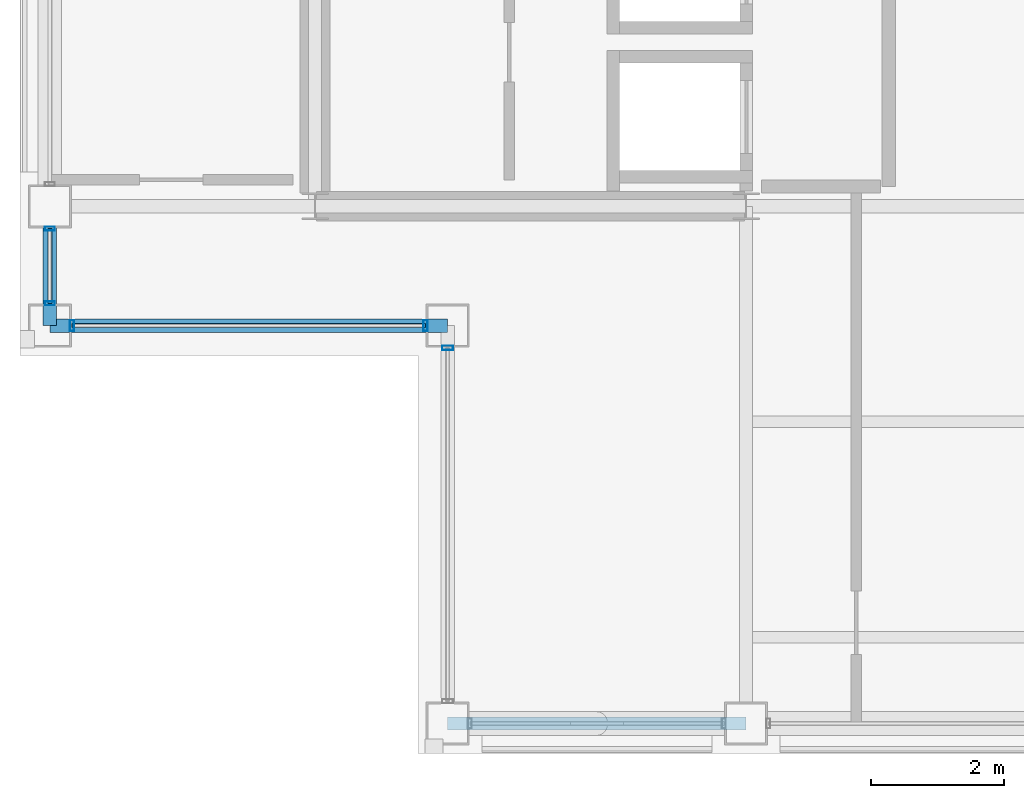
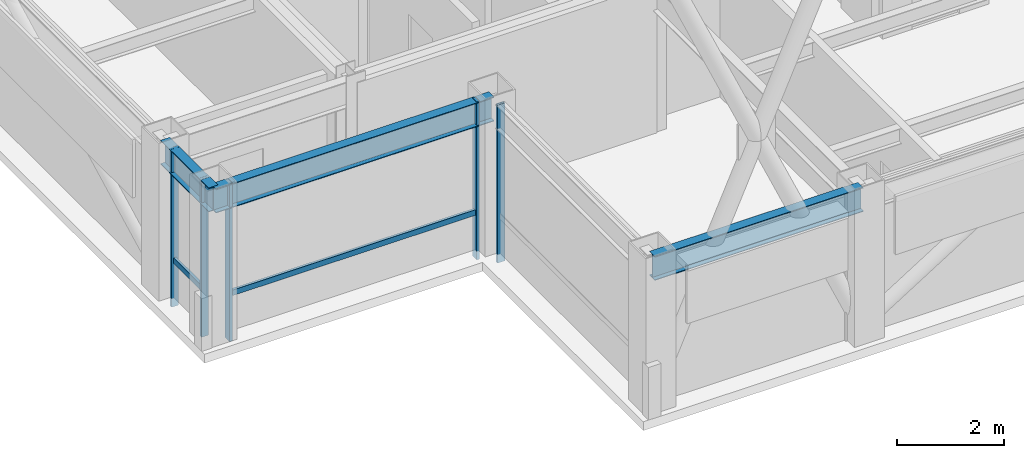
# One storey, part 4 of 30: 7 members, 3 beams, 3 elements without a shape of their own.
"""IFC4 building model written with IfcOpenShell, lengths in metres."""

from ifc_helpers import new_model, si_unit, direction, frame, origin, origin_2d, place, context, subcontext, project, spatial, hollow_rectangle, i_section, extrude, material, layer, layer_set, material_profile, profile_set, type_object, element, aggregate, save


model = new_model("IFC4")

# Units and contexts
model_context = context("Model", 3, precision=1e-05, world=origin(), true_north=direction((0.0, 1.0)))
body_context = subcontext(model_context, "Body", "Model", "MODEL_VIEW")
ifc_project = project(units=[si_unit("LENGTHUNIT", "METRE"), si_unit("AREAUNIT", "SQUARE_METRE"), si_unit("VOLUMEUNIT", "CUBIC_METRE"), si_unit("PLANEANGLEUNIT", "RADIAN"), si_unit("MASSUNIT", "GRAM", prefix="KILO")], contexts=[model_context])

# Site, building, storey
site_placement = place(None, origin())
site = spatial("IfcSite", under=ifc_project, at=site_placement, CompositionType="ELEMENT")
building_placement = place(site_placement, origin())
building = spatial("IfcBuilding", under=site, at=building_placement, Name="Brelmoor Portico Tower", CompositionType="ELEMENT")
storey_placement = place(building_placement, frame((0.0, 0.0, 236.39990234375)))
storey = spatial("IfcBuildingStorey", under=building, at=storey_placement, Name="L62", CompositionType="ELEMENT", Elevation=236.39990234375)

# Beams
ifc_material_1 = material(Name="Steel Q355B", Category="steel")
ifc_material_profile_1 = material_profile(ifc_material_1, i_section(OverallWidth=0.199951171875, OverallDepth=0.550048828125, WebThickness=0.010009765625, FlangeThickness=0.01611328125, at=origin_2d()), Name="HN 550x200x10x16")
ifc_profile_set_1 = profile_set([ifc_material_profile_1], Name="Steel Q355B")
beam_type = type_object("IfcBeamType", Name="BM-SP-550", PredefinedType="SPANDREL", material=ifc_profile_set_1)
beam_1_placement = place(storey_placement, frame((-12.550048828125, -17.550048828125, 3.125), z_axis=(1.0, 0.0, 0.0), x_axis=(0.0, 1.0, 0.0)))
element("IfcBeam", 1, at=beam_1_placement, inside=storey, type_object=beam_type, Name="L62 Perimeter Spandrel Beam SP-01", PredefinedType="SPANDREL", context=body_context, shape_type="SweptSolid", body=[
    extrude(i_section(OverallWidth=0.199951171875, OverallDepth=0.550048828125, WebThickness=0.010009765625, FlangeThickness=0.01611328125, at=origin_2d()), origin(), (0.0, 0.0, 1.0), 4.5),
])
beam_2_placement = place(storey_placement, frame((-18.550048828125, -11.550048828125, 3.125), z_axis=(1.0, 0.0, 0.0), x_axis=(0.0, 1.0, 0.0)))
element("IfcBeam", 2, at=beam_2_placement, inside=storey, type_object=beam_type, Name="L62 Perimeter Spandrel Beam SP-04", PredefinedType="SPANDREL", context=body_context, shape_type="SweptSolid", body=[
    extrude(i_section(OverallWidth=0.199951171875, OverallDepth=0.550048828125, WebThickness=0.010009765625, FlangeThickness=0.01611328125, at=origin_2d()), origin(), (0.0, 0.0, 1.0), 6.0),
])
beam_3_placement = place(storey_placement, frame((-18.550048828125, -11.550048828125, 3.125), z_axis=(0.0, 1.0, 0.0), x_axis=(-1.0, 0.0, 0.0)))
element("IfcBeam", 3, at=beam_3_placement, inside=storey, type_object=beam_type, Name="L62 Perimeter Spandrel Beam SP-11", PredefinedType="SPANDREL", context=body_context, shape_type="SweptSolid", body=[
    extrude(i_section(OverallWidth=0.199951171875, OverallDepth=0.550048828125, WebThickness=0.010009765625, FlangeThickness=0.01611328125, at=origin_2d()), origin(), (0.0, 0.0, 1.0), 1.800048828125),
])

# Curtain wall, members
ifc_material_2 = material(Name="Anodised Aluminium Alloy 6063-T6", Category="aluminium")
ifc_layer_1 = layer(ifc_material_2, 0.179931640625)
ifc_layer_set_1 = layer_set([ifc_layer_1], Name="Anodised Aluminium Alloy 6063-T6")
curtain_wall_type_1 = type_object("IfcCurtainWallType", Name="CW-TOWER-Z4", PredefinedType="NOTDEFINED", material=ifc_layer_set_1)
curtain_wall_1_placement = place(storey_placement, origin())
curtain_wall_1 = element("IfcCurtainWall", 4, at=curtain_wall_1_placement, inside=storey, type_object=curtain_wall_type_1, Name="L62 Curtain Wall CW-L62-03-1", PredefinedType="NOTDEFINED")
ifc_material_profile_2 = material_profile(ifc_material_2, hollow_rectangle(XDim=0.06005859375, YDim=0.14990234375, WallThickness=0.00390625, at=origin_2d()), Name="ALU MULLION 60x150")
ifc_profile_set_2 = profile_set([ifc_material_profile_2], Name="Anodised Aluminium Alloy 6063-T6")
member_type_1 = type_object("IfcMemberType", Name="MB-CW-MULL-150", PredefinedType="MULLION", material=ifc_profile_set_2)
member_1_placement = place(storey_placement, frame((-18.550048828125, -11.215087890625, -0.199951171875), z_axis=(0.0, 0.0, 1.0), x_axis=(0.0, 1.0, 0.0)))
member_1 = element("IfcMember", 5, at=member_1_placement, type_object=member_type_1, Name="CW-L62-03-1 Mullion 00", PredefinedType="MULLION", context=body_context, shape_type="SweptSolid", body=[
    extrude(hollow_rectangle(XDim=0.06005859375, YDim=0.14990234375, WallThickness=0.00390625, at=origin_2d()), origin(), (0.0, 0.0, 1.0), 3.60009765625),
])
member_2_placement = place(storey_placement, frame((-18.550048828125, -10.0849609375, -0.199951171875), z_axis=(0.0, 0.0, 1.0), x_axis=(0.0, 1.0, 0.0)))
member_2 = element("IfcMember", 6, at=member_2_placement, type_object=member_type_1, Name="CW-L62-03-1 Mullion 01", PredefinedType="MULLION", context=body_context, shape_type="SweptSolid", body=[
    extrude(hollow_rectangle(XDim=0.06005859375, YDim=0.14990234375, WallThickness=0.00390625, at=origin_2d()), origin(), (0.0, 0.0, 1.0), 3.60009765625),
])

ifc_layer_2 = layer(ifc_material_2, 0.179931640625)
ifc_layer_set_2 = layer_set([ifc_layer_2], Name="Anodised Aluminium Alloy 6063-T6")
curtain_wall_type_2 = type_object("IfcCurtainWallType", Name="CW-NOTCH-CHAMFER", PredefinedType="NOTDEFINED", material=ifc_layer_set_2)
curtain_wall_2_placement = place(storey_placement, origin())
curtain_wall_2 = element("IfcCurtainWall", 7, at=curtain_wall_2_placement, inside=storey, type_object=curtain_wall_type_2, Name="L62 Curtain Wall CWN-L62-SWH", PredefinedType="NOTDEFINED")
ifc_material_profile_3 = material_profile(ifc_material_2, hollow_rectangle(XDim=0.06494140625, YDim=0.1650390625, WallThickness=0.00390625, at=origin_2d()), Name="ALU MULLION 65x165")
ifc_profile_set_3 = profile_set([ifc_material_profile_3], Name="Anodised Aluminium Alloy 6063-T6")
member_type_2 = type_object("IfcMemberType", Name="MB-CW-MULL-165", PredefinedType="MULLION", material=ifc_profile_set_3)
member_3_placement = place(storey_placement, frame((-18.215087890625, -11.550048828125, -0.199951171875), z_axis=(0.0, 0.0, 1.0), x_axis=(1.0, 0.0, 0.0)))
member_3 = element("IfcMember", 8, at=member_3_placement, type_object=member_type_2, Name="CWN-L62-SWH Mullion 00", PredefinedType="MULLION", context=body_context, shape_type="SweptSolid", body=[
    extrude(hollow_rectangle(XDim=0.06494140625, YDim=0.1650390625, WallThickness=0.00390625, at=origin_2d()), origin(), (0.0, 0.0, 1.0), 3.60009765625),
])
member_4_placement = place(storey_placement, frame((-12.885009765625, -11.550048828125, -0.199951171875), z_axis=(0.0, 0.0, 1.0), x_axis=(1.0, 0.0, 0.0)))
member_4 = element("IfcMember", 9, at=member_4_placement, type_object=member_type_2, Name="CWN-L62-SWH Mullion 01", PredefinedType="MULLION", context=body_context, shape_type="SweptSolid", body=[
    extrude(hollow_rectangle(XDim=0.06494140625, YDim=0.1650390625, WallThickness=0.00390625, at=origin_2d()), origin(), (0.0, 0.0, 1.0), 3.60009765625),
])

# Curtain wall, member
curtain_wall_3_placement = place(storey_placement, origin())
curtain_wall_3 = element("IfcCurtainWall", 10, at=curtain_wall_3_placement, inside=storey, type_object=curtain_wall_type_2, Name="L62 Curtain Wall CWN-L62-SWV", PredefinedType="NOTDEFINED")
member_5_placement = place(storey_placement, frame((-12.550048828125, -11.885009765625, -0.199951171875), z_axis=(0.0, 0.0, 1.0), x_axis=(0.0, 1.0, 0.0)))
member_5 = element("IfcMember", 11, at=member_5_placement, type_object=member_type_2, Name="CWN-L62-SWV Mullion 01", PredefinedType="MULLION", context=body_context, shape_type="SweptSolid", body=[
    extrude(hollow_rectangle(XDim=0.06494140625, YDim=0.1650390625, WallThickness=0.00390625, at=origin_2d()), origin(), (0.0, 0.0, 1.0), 3.60009765625),
])
aggregate(curtain_wall_3, [member_5])

# Member
ifc_material_profile_4 = material_profile(ifc_material_2, hollow_rectangle(XDim=0.06005859375, YDim=0.125, WallThickness=0.00341796875, at=origin_2d()), Name="ALU TRANSOM 60x125")
ifc_profile_set_4 = profile_set([ifc_material_profile_4], Name="Anodised Aluminium Alloy 6063-T6")
member_type_3 = type_object("IfcMemberType", Name="MB-CW-TRAN-125", PredefinedType="USERDEFINED", material=ifc_profile_set_4)
member_6_placement = place(storey_placement, frame((-18.550048828125, -11.215087890625, 0.85009765625), z_axis=(0.0, 1.0, 0.0), x_axis=(-1.0, 0.0, 0.0)))
member_6 = element("IfcMember", 12, at=member_6_placement, type_object=member_type_3, Name="CW-L62-03-1 Transom 1-00", ObjectType="TRANSOM", PredefinedType="USERDEFINED", context=body_context, shape_type="SweptSolid", body=[
    extrude(hollow_rectangle(XDim=0.06005859375, YDim=0.125, WallThickness=0.00341796875, at=origin_2d()), origin(), (0.0, 0.0, 1.0), 1.130126953125),
])

aggregate(curtain_wall_1, [member_1, member_2, member_6])

member_7_placement = place(storey_placement, frame((-18.215087890625, -11.550048828125, 0.85009765625), z_axis=(1.0, 0.0, 0.0), x_axis=(0.0, 1.0, 0.0)))
member_7 = element("IfcMember", 13, at=member_7_placement, type_object=member_type_3, Name="CWN-L62-SWH Transom 1-00", ObjectType="TRANSOM", PredefinedType="USERDEFINED", context=body_context, shape_type="SweptSolid", body=[
    extrude(hollow_rectangle(XDim=0.06005859375, YDim=0.125, WallThickness=0.00341796875, at=origin_2d()), origin(), (0.0, 0.0, 1.0), 5.330078125),
])

aggregate(curtain_wall_2, [member_3, member_4, member_7])

save(model, "model.ifc")
